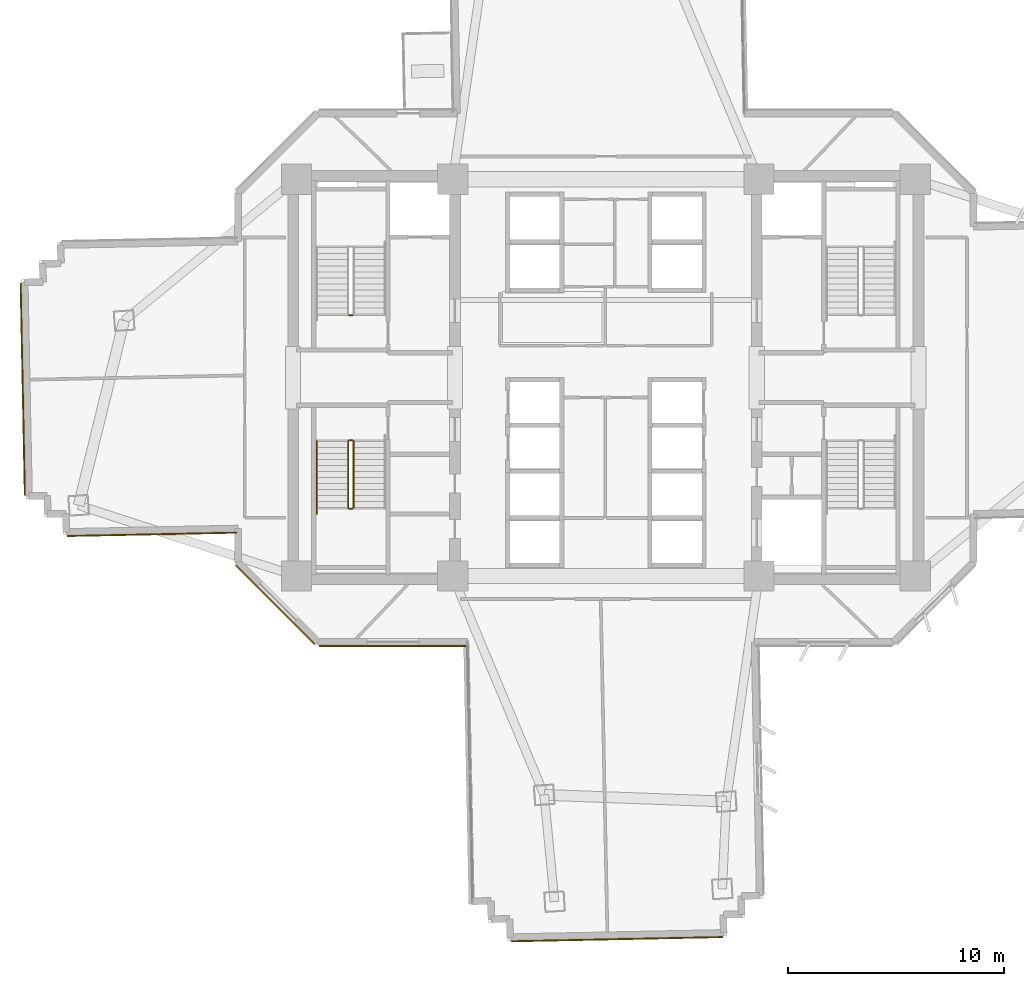
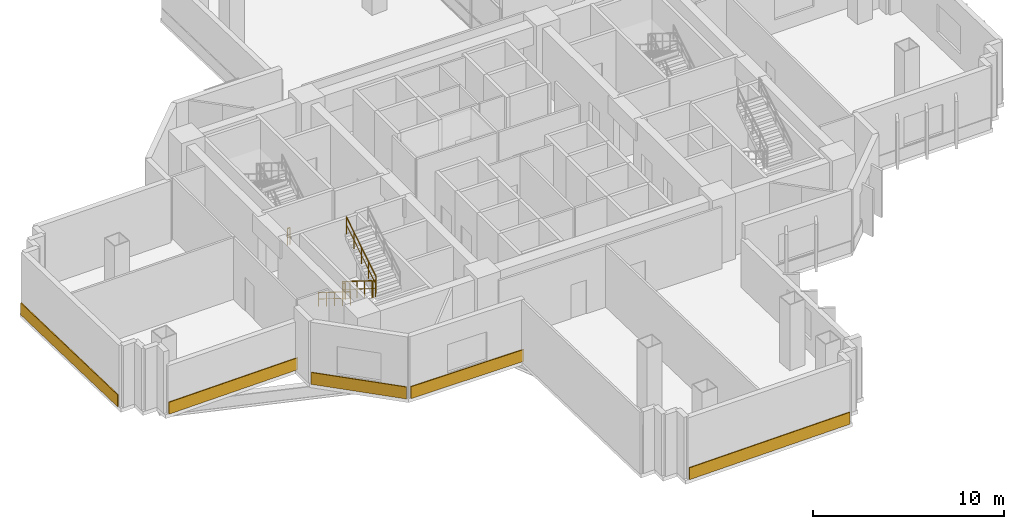
# One storey, part 11 of 15: 6 railings, 5 coverings.
"""IFC4 building model written with IfcOpenShell, lengths in metres."""

from ifc_helpers import new_model, si_unit, direction, frame, origin, origin_2d, place, context, subcontext, project, spatial, rectangle, extrude, source, transform, mapped, material, layer, layer_set, type_object, element, save


model = new_model("IFC4")

# Units and contexts
model_context = context("Model", 3, precision=1e-05, world=origin(), true_north=direction((0.0, 1.0)))
body_context = subcontext(model_context, "Body", "Model", "MODEL_VIEW")
ifc_project = project(units=[si_unit("LENGTHUNIT", "METRE"), si_unit("AREAUNIT", "SQUARE_METRE"), si_unit("VOLUMEUNIT", "CUBIC_METRE"), si_unit("PLANEANGLEUNIT", "RADIAN"), si_unit("MASSUNIT", "GRAM", prefix="KILO")], contexts=[model_context])

# Site, building, storey
site_placement = place(None, origin())
site = spatial("IfcSite", under=ifc_project, at=site_placement, CompositionType="ELEMENT")
building_placement = place(site_placement, origin())
building = spatial("IfcBuilding", under=site, at=building_placement, Name="Zahravan Cultural Tower", CompositionType="ELEMENT")
storey_placement = place(building_placement, frame((0.0, 0.0, 45.89990234375)))
storey = spatial("IfcBuildingStorey", under=building, at=storey_placement, Name="L09", CompositionType="ELEMENT", Elevation=45.89990234375)

# Railings
ifc_material_1 = material(Name="Steel ASTM A572 Grade 50", Category="steel")
railing_type_1 = type_object("IfcRailingType", Name="RL-STAIR-GRD1150", PredefinedType="BALUSTRADE", material=ifc_material_1)
railing_1_placement = place(storey_placement, frame((24.25, 29.89990234375, 0.0)))
element("IfcRailing", 1, at=railing_1_placement, inside=storey, type_object=railing_type_1, Name="L09 ST-W1 stair guard 4", PredefinedType="BALUSTRADE", context=body_context, shape_type="SweptSolid", body=[
    extrude(rectangle(XDim=0.05, YDim=0.05, at=origin_2d()), frame((0.0, 0.0, 1.0751953125), z_axis=(-1.0, 0.0, 0.0), x_axis=(0.0, -1.0, 0.0)), (0.0, 0.0, 1.0), 0.14990234375),
    extrude(rectangle(XDim=0.032, YDim=0.032, at=origin_2d()), frame((0.0, 0.0, 0.572021484375), z_axis=(-1.0, 0.0, 0.0), x_axis=(0.0, -1.0, 0.0)), (0.0, 0.0, 1.0), 0.14990234375),
    extrude(rectangle(XDim=0.04, YDim=0.04, at=origin_2d()), origin(), (0.0, 0.0, 1.0), 1.10009765625),
    extrude(rectangle(XDim=0.04, YDim=0.04, at=origin_2d()), frame((-0.14990234375, 0.0, 0.0)), (0.0, 0.0, 1.0), 1.10009765625),
])
railing_2_placement = place(storey_placement, frame((24.050048828125, 24.050048828125, 0.175048828125)))
element("IfcRailing", 2, at=railing_2_placement, inside=storey, type_object=railing_type_1, Name="L09 ST-W2 stair guard 1", PredefinedType="BALUSTRADE", context=body_context, shape_type="SweptSolid", body=[
    extrude(rectangle(XDim=0.05, YDim=0.05, at=origin_2d()), frame((0.0, 0.0, 1.0751953125), z_axis=(0.0, -0.847998304005, 0.529998940003), x_axis=(1.0, 0.0, 0.0)), (0.0, 0.0, 1.0), 3.632080078125),
    extrude(rectangle(XDim=0.032, YDim=0.032, at=origin_2d()), frame((0.0, 0.0, 0.572021484375), z_axis=(0.0, -0.847998304005, 0.529998940003), x_axis=(1.0, 0.0, 0.0)), (0.0, 0.0, 1.0), 3.632080078125),
    extrude(rectangle(XDim=0.04, YDim=0.04, at=origin_2d()), origin(), (0.0, 0.0, 1.0), 1.10009765625),
    extrude(rectangle(XDim=0.04, YDim=0.04, at=origin_2d()), frame((0.0, -0.77001953125, 0.481201171875)), (0.0, 0.0, 1.0), 1.10009765625),
    extrude(rectangle(XDim=0.04, YDim=0.04, at=origin_2d()), frame((0.0, -1.5400390625, 0.96240234375)), (0.0, 0.0, 1.0), 1.10009765625),
    extrude(rectangle(XDim=0.04, YDim=0.04, at=origin_2d()), frame((0.0, -2.31005859375, 1.44384765625)), (0.0, 0.0, 1.0), 1.10009765625),
    extrude(rectangle(XDim=0.04, YDim=0.04, at=origin_2d()), frame((0.0, -3.080078125, 1.925048828125)), (0.0, 0.0, 1.0), 1.10009765625),
])
railing_3_placement = place(storey_placement, frame((24.10009765625, 20.919921875, 2.10009765625)))
element("IfcRailing", 3, at=railing_3_placement, inside=storey, type_object=railing_type_1, Name="L09 ST-W2 stair guard 2", PredefinedType="BALUSTRADE", context=body_context, shape_type="SweptSolid", body=[
    extrude(rectangle(XDim=0.05, YDim=0.05, at=origin_2d()), frame((0.0, 0.0, 1.0751953125), z_axis=(1.0, 0.0, 0.0), x_axis=(0.0, 1.0, 0.0)), (0.0, 0.0, 1.0), 0.14990234375),
    extrude(rectangle(XDim=0.032, YDim=0.032, at=origin_2d()), frame((0.0, 0.0, 0.572021484375), z_axis=(1.0, 0.0, 0.0), x_axis=(0.0, 1.0, 0.0)), (0.0, 0.0, 1.0), 0.14990234375),
    extrude(rectangle(XDim=0.04, YDim=0.04, at=origin_2d()), origin(), (0.0, 0.0, 1.0), 1.10009765625),
    extrude(rectangle(XDim=0.04, YDim=0.04, at=origin_2d()), frame((0.14990234375, 0.0, 0.0)), (0.0, 0.0, 1.0), 1.10009765625),
])
railing_4_placement = place(storey_placement, frame((24.300048828125, 20.969970703125, 2.275146484375)))
element("IfcRailing", 4, at=railing_4_placement, inside=storey, type_object=railing_type_1, Name="L09 ST-W2 stair guard 3", PredefinedType="BALUSTRADE", context=body_context, shape_type="SweptSolid", body=[
    extrude(rectangle(XDim=0.05, YDim=0.05, at=origin_2d()), frame((0.0, 0.0, 1.0751953125), z_axis=(0.0, 0.847998304005, 0.529998940003), x_axis=(-1.0, 0.0, 0.0)), (0.0, 0.0, 1.0), 3.632080078125),
    extrude(rectangle(XDim=0.032, YDim=0.032, at=origin_2d()), frame((0.0, 0.0, 0.572021484375), z_axis=(0.0, 0.847998304005, 0.529998940003), x_axis=(-1.0, 0.0, 0.0)), (0.0, 0.0, 1.0), 3.632080078125),
    extrude(rectangle(XDim=0.04, YDim=0.04, at=origin_2d()), origin(), (0.0, 0.0, 1.0), 1.10009765625),
    extrude(rectangle(XDim=0.04, YDim=0.04, at=origin_2d()), frame((0.0, 0.77001953125, 0.481201171875)), (0.0, 0.0, 1.0), 1.10009765625),
    extrude(rectangle(XDim=0.04, YDim=0.04, at=origin_2d()), frame((0.0, 1.5400390625, 0.96240234375)), (0.0, 0.0, 1.0), 1.10009765625),
    extrude(rectangle(XDim=0.04, YDim=0.04, at=origin_2d()), frame((0.0, 2.31005859375, 1.44384765625)), (0.0, 0.0, 1.0), 1.10009765625),
    extrude(rectangle(XDim=0.04, YDim=0.04, at=origin_2d()), frame((0.0, 3.080078125, 1.925048828125)), (0.0, 0.0, 1.0), 1.10009765625),
])
railing_5_placement = place(storey_placement, frame((24.10009765625, 24.10009765625, 0.0)))
element("IfcRailing", 5, at=railing_5_placement, inside=storey, type_object=railing_type_1, Name="L09 ST-W2 stair guard 4", PredefinedType="BALUSTRADE", context=body_context, shape_type="SweptSolid", body=[
    extrude(rectangle(XDim=0.05, YDim=0.05, at=origin_2d()), frame((0.0, 0.0, 1.0751953125), z_axis=(1.0, 0.0, 0.0), x_axis=(0.0, 1.0, 0.0)), (0.0, 0.0, 1.0), 0.14990234375),
    extrude(rectangle(XDim=0.032, YDim=0.032, at=origin_2d()), frame((0.0, 0.0, 0.572021484375), z_axis=(1.0, 0.0, 0.0), x_axis=(0.0, 1.0, 0.0)), (0.0, 0.0, 1.0), 0.14990234375),
    extrude(rectangle(XDim=0.04, YDim=0.04, at=origin_2d()), origin(), (0.0, 0.0, 1.0), 1.10009765625),
    extrude(rectangle(XDim=0.04, YDim=0.04, at=origin_2d()), frame((0.14990234375, 0.0, 0.0)), (0.0, 0.0, 1.0), 1.10009765625),
])
railing_type_2 = type_object("IfcRailingType", Name="RL-STAIR-HR900", PredefinedType="HANDRAIL", material=ifc_material_1)
railing_6_placement = place(storey_placement, frame((22.60009765625, 24.050048828125, 0.175048828125)))
element("IfcRailing", 6, at=railing_6_placement, inside=storey, type_object=railing_type_2, Name="L09 ST-W2 stair handrail 1", PredefinedType="HANDRAIL", context=body_context, shape_type="SweptSolid", body=[
    extrude(rectangle(XDim=0.05, YDim=0.05, at=origin_2d()), frame((0.0, 0.0, 0.875), z_axis=(0.0, -0.847994842521, 0.530004478338), x_axis=(1.0, 0.0, 0.0)), (0.0, 0.0, 1.0), 3.96240234375),
    extrude(rectangle(XDim=0.032, YDim=0.032, at=origin_2d()), frame((0.0, 0.0, 0.468017578125), z_axis=(0.0, -0.847994842521, 0.530004478338), x_axis=(1.0, 0.0, 0.0)), (0.0, 0.0, 1.0), 3.96240234375),
    extrude(rectangle(XDim=0.04, YDim=0.04, at=origin_2d()), origin(), (0.0, 0.0, 1.0), 0.89990234375),
    extrude(rectangle(XDim=0.04, YDim=0.04, at=origin_2d()), frame((0.0, -0.840087890625, 0.52490234375)), (0.0, 0.0, 1.0), 0.89990234375),
    extrude(rectangle(XDim=0.04, YDim=0.04, at=origin_2d()), frame((0.0, -1.68017578125, 1.050048828125)), (0.0, 0.0, 1.0), 0.89990234375),
    extrude(rectangle(XDim=0.04, YDim=0.04, at=origin_2d()), frame((0.0, -2.52001953125, 1.5751953125)), (0.0, 0.0, 1.0), 0.89990234375),
    extrude(rectangle(XDim=0.04, YDim=0.04, at=origin_2d()), frame((0.0, -3.360107421875, 2.10009765625)), (0.0, 0.0, 1.0), 0.89990234375),
])

# Coverings
ifc_material_2 = material(Name="Terracotta ceramic cladding", Category="masonry")
ifc_layer = layer(ifc_material_2, 0.06005859375)
ifc_layer_set = layer_set([ifc_layer], Name="Terracotta ceramic cladding")
covering_type = type_object("IfcCoveringType", Name="COV-CLAD-TC60", PredefinedType="CLADDING", material=ifc_layer_set)
shared_shape_1 = source(origin(), body_context, "Body", "SweptSolid", [
    extrude(rectangle(XDim=9.820068359375, YDim=0.06005859375, at=origin_2d()), origin(), (0.0, 0.0, 1.0), 0.760009765625),
])
for number, where, z_axis, x_axis, name in (
    (7, (36.518310546875, 0.960205078125, 0.02001953125), (0.0, 0.0, 1.0), (-0.999802066131, -0.019895440708, 0.0), "L09 Terracotta Spandrel Cladding 20"),
    (8, (8.96044921875, 26.4619140625, 0.02001953125), (0.0, 0.0, 1.0), (-0.019895440708, 0.999802066131, 0.0), "L09 Terracotta Spandrel Cladding 33"),
):
    element("IfcCovering", number, at=place(storey_placement, frame(where, z_axis=z_axis, x_axis=x_axis)), inside=storey, type_object=covering_type, Name=name, PredefinedType="CLADDING", context=body_context, shape_type="MappedRepresentation", body=[
        mapped(shared_shape_1, transform((0.0, 0.0, 0.0), x_axis=(1.0, 0.0, 0.0), y_axis=(0.0, 1.0, 0.0), z_axis=(0.0, 0.0, 1.0), scale=1.0)),
    ])
shared_shape_2 = source(origin(), body_context, "Body", "SweptSolid", [
    extrude(rectangle(XDim=5.157958984375, YDim=0.06005859375, at=origin_2d()), origin(), (0.0, 0.0, 1.0), 0.760009765625),
])
covering_1_placement = place(storey_placement, frame((20.668212890625, 16.46826171875, 0.02001953125), z_axis=(0.0, 0.0, 1.0), x_axis=(-0.707106781187, 0.707106781187, 0.0)))
element("IfcCovering", 9, at=covering_1_placement, inside=storey, type_object=covering_type, Name="L09 Terracotta Spandrel Cladding 26", PredefinedType="CLADDING", context=body_context, shape_type="MappedRepresentation", body=[
    mapped(shared_shape_2, transform((0.0, 0.0, 0.0), x_axis=(1.0, 0.0, 0.0), y_axis=(0.0, 1.0, 0.0), z_axis=(0.0, 0.0, 1.0), scale=1.0)),
])
shared_shape_3 = source(origin(), body_context, "Body", "SweptSolid", [
    extrude(rectangle(XDim=7.864013671875, YDim=0.06005859375, at=origin_2d()), origin(), (0.0, 0.0, 1.0), 0.760009765625),
])
covering_2_placement = place(storey_placement, frame((14.96240234375, 19.735107421875, 0.02001953125), z_axis=(0.0, 0.0, 1.0), x_axis=(-0.999802066131, -0.019895440708, 0.0)))
element("IfcCovering", 10, at=covering_2_placement, inside=storey, type_object=covering_type, Name="L09 Terracotta Spandrel Cladding 28", PredefinedType="CLADDING", context=body_context, shape_type="MappedRepresentation", body=[
    mapped(shared_shape_3, transform((0.0, 0.0, 0.0), x_axis=(1.0, 0.0, 0.0), y_axis=(0.0, 1.0, 0.0), z_axis=(0.0, 0.0, 1.0), scale=1.0)),
])
shared_shape_4 = source(origin(), body_context, "Body", "SweptSolid", [
    extrude(rectangle(XDim=6.82470703125, YDim=0.06005859375, at=origin_2d()), origin(), (0.0, 0.0, 1.0), 0.760009765625),
])
covering_3_placement = place(storey_placement, frame((26.120361328125, 14.554931640625, 0.02001953125), z_axis=(0.0, 0.0, 1.0), x_axis=(-1.0, 0.0, 0.0)))
element("IfcCovering", 11, at=covering_3_placement, inside=storey, type_object=covering_type, Name="L09 Terracotta Spandrel Cladding 25", PredefinedType="CLADDING", context=body_context, shape_type="MappedRepresentation", body=[
    mapped(shared_shape_4, transform((0.0, 0.0, 0.0), x_axis=(1.0, 0.0, 0.0), y_axis=(0.0, 1.0, 0.0), z_axis=(0.0, 0.0, 1.0), scale=1.0)),
])

save(model, "model.ifc")
